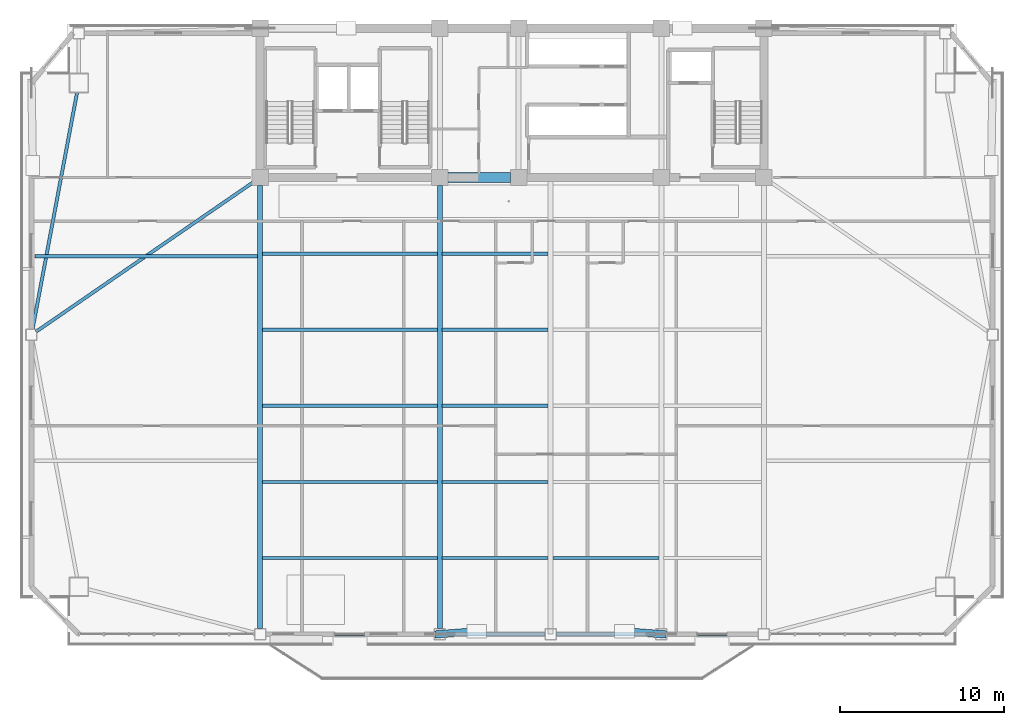
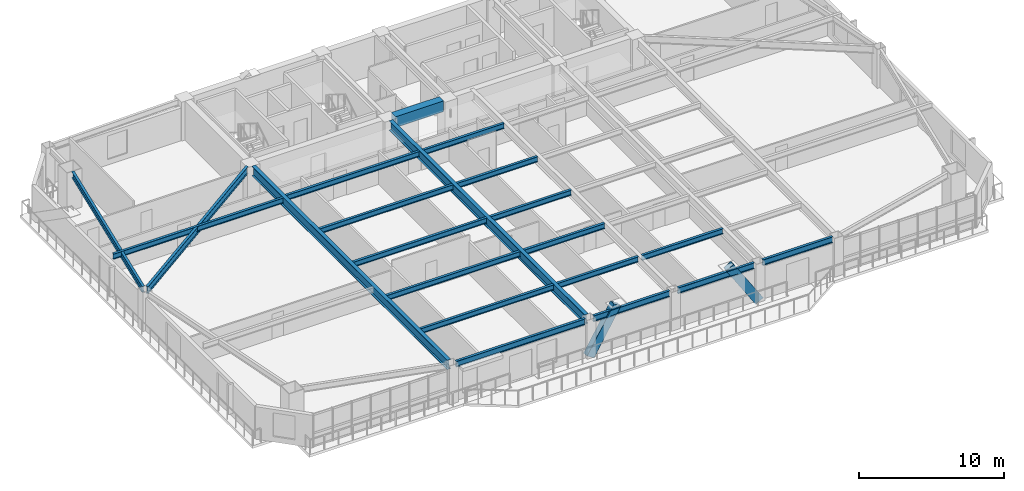
# One storey, part 3 of 15: 21 beams, 2 members.
"""IFC4 building model written with IfcOpenShell, lengths in metres."""

from ifc_helpers import new_model, si_unit, direction, frame, origin, origin_2d, place, context, subcontext, project, spatial, rectangle, hollow_rectangle, i_section, extrude, source, transform, mapped, material, material_profile, profile_set, type_object, element, save


model = new_model("IFC4")

# Units and contexts
model_context = context("Model", 3, precision=1e-05, world=origin(), true_north=direction((0.0, 1.0)))
body_context = subcontext(model_context, "Body", "Model", "MODEL_VIEW")
ifc_project = project(units=[si_unit("LENGTHUNIT", "METRE"), si_unit("AREAUNIT", "SQUARE_METRE"), si_unit("VOLUMEUNIT", "CUBIC_METRE"), si_unit("PLANEANGLEUNIT", "RADIAN"), si_unit("MASSUNIT", "GRAM", prefix="KILO")], contexts=[model_context])

# Site, building, storey
site_placement = place(None, origin())
site = spatial("IfcSite", under=ifc_project, at=site_placement, CompositionType="ELEMENT")
building_placement = place(site_placement, origin())
building = spatial("IfcBuilding", under=site, at=building_placement, Name="Giltprow Tower", CompositionType="ELEMENT")
storey_placement = place(building_placement, frame((0.0, 0.0, 170.199951171875)))
storey = spatial("IfcBuildingStorey", under=building, at=storey_placement, Name="L42", CompositionType="ELEMENT", Elevation=170.199951171875)

# Beams
ifc_material_1 = material(Name="Structural steel Q355B", Category="steel")
ifc_material_profile_1 = material_profile(ifc_material_1, i_section(OverallWidth=0.199951171875, OverallDepth=0.449951171875, WebThickness=0.009033203125, FlangeThickness=0.013916015625, at=origin_2d()), Name="HN 450x200x9x14")
ifc_profile_set_1 = profile_set([ifc_material_profile_1], Name="Structural steel Q355B")
beam_type_1 = type_object("IfcBeamType", Name="BM-JOIST-HN450", PredefinedType="JOIST", material=ifc_profile_set_1)
shared_shape_1 = source(origin(), body_context, "Body", "SweptSolid", [
    extrude(i_section(OverallWidth=0.199951171875, OverallDepth=0.449951171875, WebThickness=0.009033203125, FlangeThickness=0.013916015625, at=origin_2d()), origin(), (0.0, 0.0, 1.0), 10.659912109375),
])
for number, where, z_axis, x_axis, name in (
    (1, (19.9951171875, 14.262939453125, 3.045166015625), (1.0, 0.0, 0.0), (0.0, 1.0, 0.0), "L42 Composite Floor Joist 1-1"),
    (2, (19.9951171875, 18.90087890625, 3.045166015625), (1.0, 0.0, 0.0), (0.0, 1.0, 0.0), "L42 Composite Floor Joist 2-1"),
    (3, (19.9951171875, 23.5380859375, 3.045166015625), (1.0, 0.0, 0.0), (0.0, 1.0, 0.0), "L42 Composite Floor Joist 3-1"),
    (4, (19.9951171875, 28.175048828125, 3.045166015625), (1.0, 0.0, 0.0), (0.0, 1.0, 0.0), "L42 Composite Floor Joist 4-1"),
    (5, (19.9951171875, 32.81298828125, 3.045166015625), (1.0, 0.0, 0.0), (0.0, 1.0, 0.0), "L42 Composite Floor Joist 5-1"),
):
    element("IfcBeam", number, at=place(storey_placement, frame(where, z_axis=z_axis, x_axis=x_axis)), inside=storey, type_object=beam_type_1, Name=name, PredefinedType="JOIST", context=body_context, shape_type="MappedRepresentation", body=[
        mapped(shared_shape_1, transform((0.0, 0.0, 0.0), x_axis=(1.0, 0.0, 0.0), y_axis=(0.0, 1.0, 0.0), z_axis=(0.0, 0.0, 1.0), scale=1.0)),
    ])
shared_shape_2 = source(origin(), body_context, "Body", "SweptSolid", [
    extrude(i_section(OverallWidth=0.199951171875, OverallDepth=0.449951171875, WebThickness=0.009033203125, FlangeThickness=0.013916015625, at=origin_2d()), origin(), (0.0, 0.0, 1.0), 6.4599609375),
])
for number, where, z_axis, x_axis, name in (
    (6, (30.945068359375, 14.262939453125, 3.045166015625), (1.0, 0.0, 0.0), (0.0, 1.0, 0.0), "L42 Composite Floor Joist 1-2"),
    (7, (37.695068359375, 14.262939453125, 3.045166015625), (1.0, 0.0, 0.0), (0.0, 1.0, 0.0), "L42 Composite Floor Joist 1-3"),
    (8, (30.945068359375, 18.90087890625, 3.045166015625), (1.0, 0.0, 0.0), (0.0, 1.0, 0.0), "L42 Composite Floor Joist 2-2"),
    (9, (30.945068359375, 23.5380859375, 3.045166015625), (1.0, 0.0, 0.0), (0.0, 1.0, 0.0), "L42 Composite Floor Joist 3-2"),
    (10, (30.945068359375, 28.175048828125, 3.045166015625), (1.0, 0.0, 0.0), (0.0, 1.0, 0.0), "L42 Composite Floor Joist 4-2"),
    (11, (30.945068359375, 32.81298828125, 3.045166015625), (1.0, 0.0, 0.0), (0.0, 1.0, 0.0), "L42 Composite Floor Joist 5-2"),
):
    element("IfcBeam", number, at=place(storey_placement, frame(where, z_axis=z_axis, x_axis=x_axis)), inside=storey, type_object=beam_type_1, Name=name, PredefinedType="JOIST", context=body_context, shape_type="MappedRepresentation", body=[
        mapped(shared_shape_2, transform((0.0, 0.0, 0.0), x_axis=(1.0, 0.0, 0.0), y_axis=(0.0, 1.0, 0.0), z_axis=(0.0, 0.0, 1.0), scale=1.0)),
    ])
ifc_material_2 = material(Name="Concrete C50", Category="concrete")
ifc_material_profile_2 = material_profile(ifc_material_2, rectangle(XDim=0.60009765625, YDim=0.89990234375, at=origin_2d()), Name="RC 900x600")
ifc_profile_set_2 = profile_set([ifc_material_profile_2], Name="Concrete C50")
beam_type_2 = type_object("IfcBeamType", Name="BM-CPL-RC900", PredefinedType="LINTEL", material=ifc_profile_set_2)
shared_shape_3 = source(origin(), body_context, "Body", "SweptSolid", [
    extrude(rectangle(XDim=0.60009765625, YDim=0.89990234375, at=origin_2d()), origin(), (0.0, 0.0, 1.0), 3.830078125),
])
beam_1_placement = place(storey_placement, frame((31.284912109375, 37.449951171875, 2.820068359375), z_axis=(1.0, 0.0, 0.0), x_axis=(0.0, 1.0, 0.0)))
element("IfcBeam", 12, at=beam_1_placement, inside=storey, type_object=beam_type_2, Name="L42 Core Coupling Beam CB-1", PredefinedType="LINTEL", context=body_context, shape_type="MappedRepresentation", body=[
    mapped(shared_shape_3, transform((0.0, 0.0, 0.0), x_axis=(1.0, 0.0, 0.0), y_axis=(0.0, 1.0, 0.0), z_axis=(0.0, 0.0, 1.0), scale=1.0)),
])
shared_shape_4 = source(origin(), body_context, "Body", "SweptSolid", [
    extrude(i_section(OverallWidth=0.199951171875, OverallDepth=0.449951171875, WebThickness=0.009033203125, FlangeThickness=0.013916015625, at=origin_2d()), origin(), (0.0, 0.0, 1.0), 13.566162109375),
])
beam_2_placement = place(storey_placement, frame((6.138916015625, 32.656982421875, 3.045166015625), z_axis=(1.0, 0.0, 0.0), x_axis=(0.0, 1.0, 0.0)))
element("IfcBeam", 13, at=beam_2_placement, inside=storey, type_object=beam_type_1, Name="L42 West Wing Floor Joist 2", PredefinedType="JOIST", context=body_context, shape_type="MappedRepresentation", body=[
    mapped(shared_shape_4, transform((0.0, 0.0, 0.0), x_axis=(1.0, 0.0, 0.0), y_axis=(0.0, 1.0, 0.0), z_axis=(0.0, 0.0, 1.0), scale=1.0)),
])
ifc_material_profile_3 = material_profile(ifc_material_1, i_section(OverallWidth=0.199951171875, OverallDepth=0.5, WebThickness=0.010009765625, FlangeThickness=0.01611328125, at=origin_2d()), Name="HN 500x200x10x16")
ifc_profile_set_3 = profile_set([ifc_material_profile_3], Name="Structural steel Q355B")
beam_type_3 = type_object("IfcBeamType", Name="BM-SPAN-HN500", PredefinedType="SPANDREL", material=ifc_profile_set_3)
shared_shape_5 = source(origin(), body_context, "Body", "SweptSolid", [
    extrude(i_section(OverallWidth=0.199951171875, OverallDepth=0.5, WebThickness=0.010009765625, FlangeThickness=0.01611328125, at=origin_2d()), origin(), (0.0, 0.0, 1.0), 10.280029296875),
])
beam_3_placement = place(storey_placement, frame((20.18505859375, 9.6259765625, 3.02001953125), z_axis=(1.0, 0.0, 0.0), x_axis=(0.0, 1.0, 0.0)))
element("IfcBeam", 14, at=beam_3_placement, inside=storey, type_object=beam_type_3, Name="L42 Perimeter Spandrel Beam S1-S2", PredefinedType="SPANDREL", context=body_context, shape_type="MappedRepresentation", body=[
    mapped(shared_shape_5, transform((0.0, 0.0, 0.0), x_axis=(1.0, 0.0, 0.0), y_axis=(0.0, 1.0, 0.0), z_axis=(0.0, 0.0, 1.0), scale=1.0)),
])
shared_shape_6 = source(origin(), body_context, "Body", "SweptSolid", [
    extrude(i_section(OverallWidth=0.199951171875, OverallDepth=0.5, WebThickness=0.010009765625, FlangeThickness=0.01611328125, at=origin_2d()), origin(), (0.0, 0.0, 1.0), 6.080078125),
])
for number, where, z_axis, x_axis, name in (
    (15, (31.135009765625, 9.6259765625, 3.02001953125), (1.0, 0.0, 0.0), (0.0, 1.0, 0.0), "L42 Perimeter Spandrel Beam S2-S_MID"),
    (16, (37.885009765625, 9.6259765625, 3.02001953125), (1.0, 0.0, 0.0), (0.0, 1.0, 0.0), "L42 Perimeter Spandrel Beam S_MID-S3"),
):
    element("IfcBeam", number, at=place(storey_placement, frame(where, z_axis=z_axis, x_axis=x_axis)), inside=storey, type_object=beam_type_3, Name=name, PredefinedType="SPANDREL", context=body_context, shape_type="MappedRepresentation", body=[
        mapped(shared_shape_6, transform((0.0, 0.0, 0.0), x_axis=(1.0, 0.0, 0.0), y_axis=(0.0, 1.0, 0.0), z_axis=(0.0, 0.0, 1.0), scale=1.0)),
    ])
shared_shape_7 = source(origin(), body_context, "Body", "SweptSolid", [
    extrude(i_section(OverallWidth=0.199951171875, OverallDepth=0.5, WebThickness=0.010009765625, FlangeThickness=0.01611328125, at=origin_2d()), origin(), (0.0, 0.0, 1.0), 5.580078125),
])
beam_4_placement = place(storey_placement, frame((44.635009765625, 9.6259765625, 3.02001953125), z_axis=(1.0, 0.0, 0.0), x_axis=(0.0, 1.0, 0.0)))
element("IfcBeam", 17, at=beam_4_placement, inside=storey, type_object=beam_type_3, Name="L42 Perimeter Spandrel Beam S3-S4", PredefinedType="SPANDREL", context=body_context, shape_type="MappedRepresentation", body=[
    mapped(shared_shape_7, transform((0.0, 0.0, 0.0), x_axis=(1.0, 0.0, 0.0), y_axis=(0.0, 1.0, 0.0), z_axis=(0.0, 0.0, 1.0), scale=1.0)),
])
shared_shape_8 = source(origin(), body_context, "Body", "SweptSolid", [
    extrude(i_section(OverallWidth=0.199951171875, OverallDepth=0.5, WebThickness=0.010009765625, FlangeThickness=0.01611328125, at=origin_2d()), origin(), (0.0, 0.0, 1.0), 14.69921875),
])
beam_5_placement = place(storey_placement, frame((8.697998046875, 42.637939453125, 3.02001953125), z_axis=(-0.184841051364, -0.982768429352, 0.0), x_axis=(0.982768429352, -0.184841051364, 0.0)))
element("IfcBeam", 18, at=beam_5_placement, inside=storey, type_object=beam_type_3, Name="L42 Perimeter Spandrel Beam MC_NW-W_MID", PredefinedType="SPANDREL", context=body_context, shape_type="MappedRepresentation", body=[
    mapped(shared_shape_8, transform((0.0, 0.0, 0.0), x_axis=(1.0, 0.0, 0.0), y_axis=(0.0, 1.0, 0.0), z_axis=(0.0, 0.0, 1.0), scale=1.0)),
])
ifc_material_profile_4 = material_profile(ifc_material_1, i_section(OverallWidth=0.300048828125, OverallDepth=0.800048828125, WebThickness=0.013916015625, FlangeThickness=0.02587890625, at=origin_2d()), Name="HN 800x300x14x26")
ifc_profile_set_4 = profile_set([ifc_material_profile_4], Name="Structural steel Q355B")
beam_type_4 = type_object("IfcBeamType", Name="BM-GIRD-HN800", PredefinedType="BEAM", material=ifc_profile_set_4)
shared_shape_9 = source(origin(), body_context, "Body", "SweptSolid", [
    extrude(i_section(OverallWidth=0.300048828125, OverallDepth=0.800048828125, WebThickness=0.013916015625, FlangeThickness=0.02587890625, at=origin_2d()), origin(), (0.0, 0.0, 1.0), 27.004150390625),
])
for number, where, z_axis, x_axis, name in (
    (19, (19.85009765625, 9.9609375, 2.8701171875), (0.0, 1.0, 0.0), (-1.0, 0.0, 0.0), "L42 Primary Lease Girder S1"),
    (20, (30.800048828125, 9.9609375, 2.8701171875), (0.0, 1.0, 0.0), (-1.0, 0.0, 0.0), "L42 Primary Lease Girder S2"),
):
    element("IfcBeam", number, at=place(storey_placement, frame(where, z_axis=z_axis, x_axis=x_axis)), inside=storey, type_object=beam_type_4, Name=name, PredefinedType="BEAM", context=body_context, shape_type="MappedRepresentation", body=[
        mapped(shared_shape_9, transform((0.0, 0.0, 0.0), x_axis=(1.0, 0.0, 0.0), y_axis=(0.0, 1.0, 0.0), z_axis=(0.0, 0.0, 1.0), scale=1.0)),
    ])
ifc_material_profile_5 = material_profile(ifc_material_1, i_section(OverallWidth=0.199951171875, OverallDepth=0.60009765625, WebThickness=0.010986328125, FlangeThickness=0.01708984375, at=origin_2d()), Name="HN 600x200x11x17")
ifc_profile_set_5 = profile_set([ifc_material_profile_5], Name="Structural steel Q355B")
beam_type_5 = type_object("IfcBeamType", Name="BM-GIRD-HN600", PredefinedType="BEAM", material=ifc_profile_set_5)
shared_shape_10 = source(origin(), body_context, "Body", "SweptSolid", [
    extrude(i_section(OverallWidth=0.199951171875, OverallDepth=0.60009765625, WebThickness=0.010986328125, FlangeThickness=0.01708984375, at=origin_2d()), origin(), (0.0, 0.0, 1.0), 16.090576171875),
])
beam_6_placement = place(storey_placement, frame((6.195068359375, 28.052978515625, 2.969970703125), z_axis=(0.823770889818, 0.566922852854, 0.0), x_axis=(-0.566922852854, 0.823770889818, 0.0)))
element("IfcBeam", 21, at=beam_6_placement, inside=storey, type_object=beam_type_5, Name="L42 West Wing Primary Girder", PredefinedType="BEAM", context=body_context, shape_type="MappedRepresentation", body=[
    mapped(shared_shape_10, transform((0.0, 0.0, 0.0), x_axis=(1.0, 0.0, 0.0), y_axis=(0.0, 1.0, 0.0), z_axis=(0.0, 0.0, 1.0), scale=1.0)),
])

# Members
ifc_material_3 = material(Name="Structural steel Q420GJC", Category="steel")
ifc_material_profile_6 = material_profile(ifc_material_3, hollow_rectangle(XDim=0.449951171875, YDim=0.699951171875, WallThickness=0.031982421875, at=origin_2d()), Name="RHS 700x450x32")
ifc_profile_set_6 = profile_set([ifc_material_profile_6], Name="Structural steel Q420GJC")
member_type = type_object("IfcMemberType", Name="MBR-MEGA-RHS700", PredefinedType="BRACE", material=ifc_profile_set_6)
shared_shape_11 = source(origin(), body_context, "Body", "SweptSolid", [
    extrude(hollow_rectangle(XDim=0.449951171875, YDim=0.699951171875, WallThickness=0.031982421875, at=origin_2d()), origin(), (0.0, 0.0, 1.0), 4.16455078125),
])
for number, where, z_axis, x_axis, name in (
    (22, (30.800048828125, 9.6259765625, 0.0), (0.540274331149, 0.042267555638, 0.840426737343), (-0.077995186993, 0.996953735539, 0.0), "L42 Chevron Mega-Brace S-L"),
    (23, (44.300048828125, 9.6259765625, 0.0), (-0.540274331149, 0.042267555638, 0.840426737343), (-0.077995186993, -0.996953735539, 0.0), "L42 Chevron Mega-Brace S-R"),
):
    element("IfcMember", number, at=place(storey_placement, frame(where, z_axis=z_axis, x_axis=x_axis)), inside=storey, type_object=member_type, Name=name, PredefinedType="BRACE", context=body_context, shape_type="MappedRepresentation", body=[
        mapped(shared_shape_11, transform((0.0, 0.0, 0.0), x_axis=(1.0, 0.0, 0.0), y_axis=(0.0, 1.0, 0.0), z_axis=(0.0, 0.0, 1.0), scale=1.0)),
    ])

save(model, "model.ifc")
